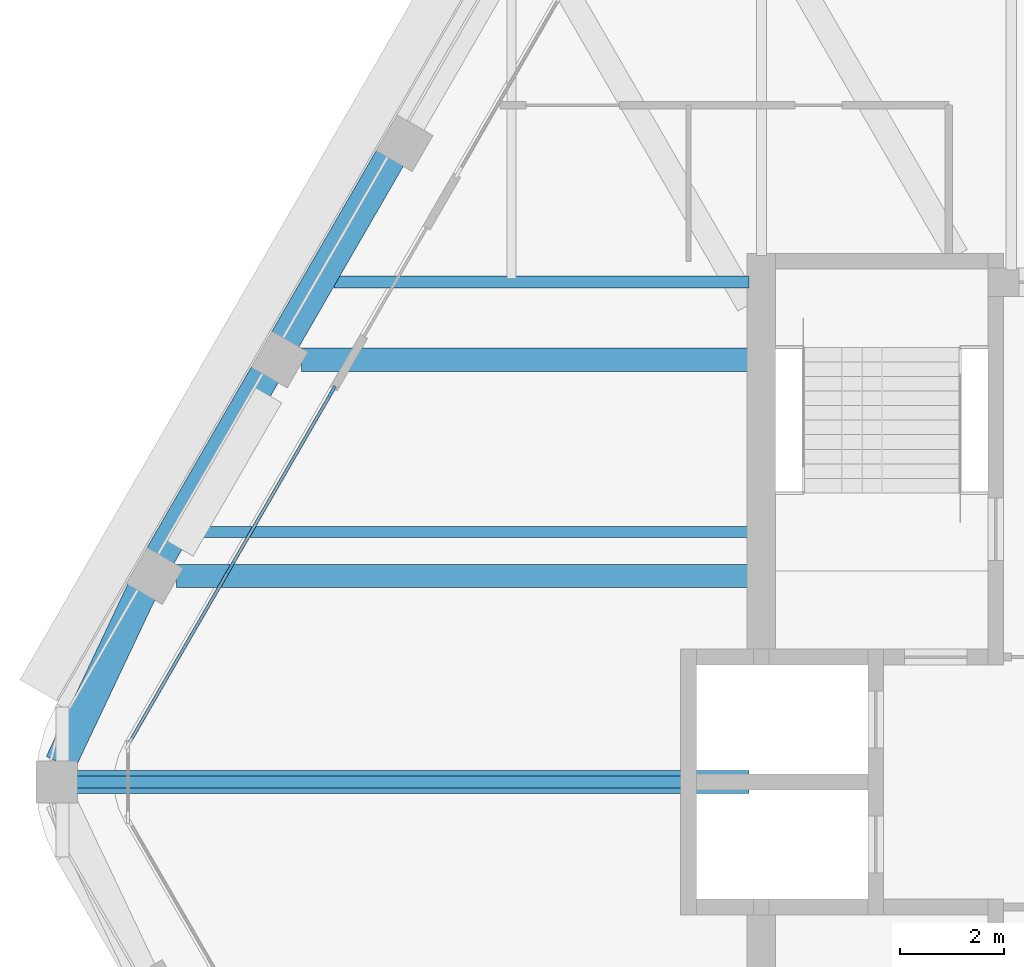
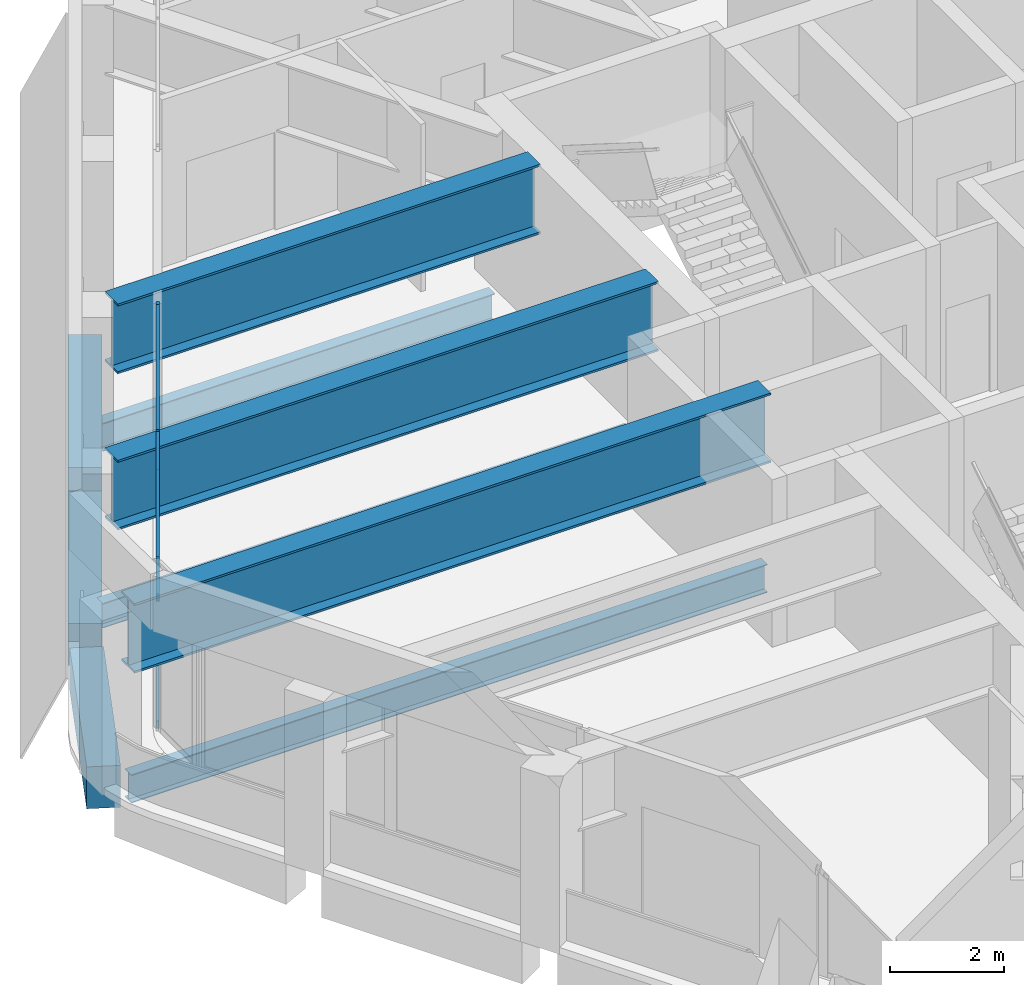
# One storey, part 3 of 14: 9 beams, 6 members, 1 element without a shape of its own.
"""IFC4 building model written with IfcOpenShell, lengths in metres."""

from ifc_helpers import new_model, si_unit, direction, frame, origin, origin_2d, place, context, subcontext, project, spatial, rectangle, i_section, extrude, material, material_profile, profile_set, type_object, element, aggregate, save


model = new_model("IFC4")

# Units and contexts
model_context = context("Model", 3, precision=1e-05, world=origin(), true_north=direction((0.0, 1.0)))
body_context = subcontext(model_context, "Body", "Model", "MODEL_VIEW")
ifc_project = project(units=[si_unit("LENGTHUNIT", "METRE"), si_unit("AREAUNIT", "SQUARE_METRE"), si_unit("VOLUMEUNIT", "CUBIC_METRE"), si_unit("PLANEANGLEUNIT", "RADIAN"), si_unit("MASSUNIT", "GRAM", prefix="KILO")], contexts=[model_context])

# Site, building, storey
site_placement = place(None, origin())
site = spatial("IfcSite", under=ifc_project, at=site_placement, CompositionType="ELEMENT")
building_placement = place(site_placement, origin())
building = spatial("IfcBuilding", under=site, at=building_placement, Name="Kolab Exchange Tower", CompositionType="ELEMENT")
storey_placement = place(building_placement, frame((0.0, 0.0, 293.0)))
storey = spatial("IfcBuildingStorey", under=building, at=storey_placement, Name="L66", CompositionType="ELEMENT", Elevation=293.0)

# Beams
ifc_material_1 = material(Name="Steel S355", Category="steel")
ifc_material_profile_1 = material_profile(ifc_material_1, i_section(OverallWidth=0.208984375, OverallDepth=0.532958984375, WebThickness=0.01025390625, FlangeThickness=0.015625, at=origin_2d()), Name="W530X92")
ifc_profile_set_1 = profile_set([ifc_material_profile_1], Name="Steel S355")
beam_type_1 = type_object("IfcBeamType", Name="FLOOR BEAM W530X92", PredefinedType="BEAM", material=ifc_profile_set_1)
beam_1_placement = place(storey_placement, frame((-20.575927734375, 4.800048828125, -0.41650390625), z_axis=(1.0, 0.0, 0.0), x_axis=(0.0, 1.0, 0.0)))
element("IfcBeam", 1, at=beam_1_placement, inside=storey, type_object=beam_type_1, Name="beam/L66/fr/002", PredefinedType="BEAM", context=body_context, shape_type="SweptSolid", body=[
    extrude(i_section(OverallWidth=0.208984375, OverallDepth=0.532958984375, WebThickness=0.01025390625, FlangeThickness=0.015625, at=origin_2d()), origin(), (0.0, 0.0, 1.0), 10.740966796875),
])
ifc_material_profile_2 = material_profile(ifc_material_1, i_section(OverallWidth=0.22802734375, OverallDepth=0.60791015625, WebThickness=0.01123046875, FlangeThickness=0.017333984375, at=origin_2d()), Name="W610X113")
ifc_profile_set_2 = profile_set([ifc_material_profile_2], Name="Steel S355")
beam_type_2 = type_object("IfcBeamType", Name="FLOOR BEAM W610X113", PredefinedType="BEAM", material=ifc_profile_set_2)
beam_2_placement = place(storey_placement, frame((-22.77587890625, 0.0, -0.4541015625), z_axis=(1.0, 0.0, 0.0), x_axis=(0.0, 1.0, 0.0)))
element("IfcBeam", 2, at=beam_2_placement, inside=storey, type_object=beam_type_2, Name="beam/L66/fr/000", PredefinedType="BEAM", context=body_context, shape_type="SweptSolid", body=[
    extrude(i_section(OverallWidth=0.22802734375, OverallDepth=0.60791015625, WebThickness=0.01123046875, FlangeThickness=0.017333984375, at=origin_2d()), origin(), (0.0, 0.0, 1.0), 12.94091796875),
])
ifc_material_profile_3 = material_profile(ifc_material_1, i_section(OverallWidth=0.22802734375, OverallDepth=0.60791015625, WebThickness=0.01123046875, FlangeThickness=0.017333984375, at=origin_2d()), Name="W610X113")
ifc_profile_set_3 = profile_set([ifc_material_profile_3], Name="Steel S355")
beam_type_3 = type_object("IfcBeamType", Name="FLOOR GIRDER W610X113", PredefinedType="BEAM", material=ifc_profile_set_3)
beam_3_placement = place(storey_placement, frame((-17.8046875, 9.60009765625, -0.4541015625), z_axis=(1.0, 0.0, 0.0), x_axis=(0.0, 1.0, 0.0)))
element("IfcBeam", 3, at=beam_3_placement, inside=storey, type_object=beam_type_3, Name="beam/L66/gd/001", PredefinedType="BEAM", context=body_context, shape_type="SweptSolid", body=[
    extrude(i_section(OverallWidth=0.22802734375, OverallDepth=0.60791015625, WebThickness=0.01123046875, FlangeThickness=0.017333984375, at=origin_2d()), origin(), (0.0, 0.0, 1.0), 7.9697265625),
])
ifc_material_2 = material(Name="Concrete C50/60", Category="concrete")
ifc_material_profile_4 = material_profile(ifc_material_2, rectangle(XDim=0.60009765625, YDim=0.89990234375, at=origin_2d()), Name="RC600X900")
ifc_profile_set_4 = profile_set([ifc_material_profile_4], Name="Concrete C50/60")
beam_type_4 = type_object("IfcBeamType", Name="SPANDREL BEAM 600X900 C50/60", PredefinedType="BEAM", material=ifc_profile_set_4)
beam_4_placement = place(storey_placement, frame((-23.063720703125, 0.36376953125, -0.60009765625), z_axis=(0.427677251998, 0.903931506323, 0.0), x_axis=(-0.903931506323, 0.427677251998, 0.0)))
element("IfcBeam", 4, at=beam_4_placement, inside=storey, type_object=beam_type_4, Name="beam/L66/sp/F6-01", PredefinedType="BEAM", context=body_context, shape_type="SweptSolid", body=[
    extrude(rectangle(XDim=0.60009765625, YDim=0.89990234375, at=origin_2d()), origin(), (0.0, 0.0, 1.0), 3.6689453125),
])
for number, where, z_axis, x_axis, name in (
    (5, (-21.16015625, 4.318603515625, -0.60009765625), (0.500000428765, 0.866025156237, 0.0), (-0.866025156237, 0.500000428765, 0.0), "beam/L66/sp/F6-02"),
    (6, (-18.76025390625, 8.4755859375, -0.60009765625), (0.500000428765, 0.866025156237, 0.0), (-0.866025156237, 0.500000428765, 0.0), "beam/L66/sp/F6-03"),
):
    element("IfcBeam", number, at=place(storey_placement, frame(where, z_axis=z_axis, x_axis=x_axis)), inside=storey, type_object=beam_type_4, Name=name, PredefinedType="BEAM", context=body_context, shape_type="SweptSolid", body=[
        extrude(rectangle(XDim=0.60009765625, YDim=0.89990234375, at=origin_2d()), origin(), (0.0, 0.0, 1.0), 4.080078125),
    ])
ifc_material_profile_5 = material_profile(ifc_material_1, i_section(OverallWidth=0.449951171875, OverallDepth=1.5, WebThickness=0.028076171875, FlangeThickness=0.044921875, at=origin_2d()), Name="PG1500X450")
ifc_profile_set_5 = profile_set([ifc_material_profile_5], Name="Steel S355")
beam_type_5 = type_object("IfcBeamType", Name="TRANSFER GIRDER PG1500X450", PredefinedType="BEAM", material=ifc_profile_set_5)
beam_5_placement = place(storey_placement, frame((-9.8349609375, 0.0, 2.85009765625), z_axis=(-1.0, 0.0, 0.0), x_axis=(0.0, -1.0, 0.0)))
element("IfcBeam", 7, at=beam_5_placement, inside=storey, type_object=beam_type_5, Name="beam/L66/cg/F6-01", PredefinedType="BEAM", context=body_context, shape_type="SweptSolid", body=[
    extrude(i_section(OverallWidth=0.449951171875, OverallDepth=1.5, WebThickness=0.028076171875, FlangeThickness=0.044921875, at=origin_2d()), origin(), (0.0, 0.0, 1.0), 12.94091796875),
])
beam_6_placement = place(storey_placement, frame((-9.8349609375, 3.956787109375, 2.85009765625), z_axis=(-1.0, 0.0, 0.0), x_axis=(0.0, -1.0, 0.0)))
element("IfcBeam", 8, at=beam_6_placement, inside=storey, type_object=beam_type_5, Name="beam/L66/cg/F6-02", PredefinedType="BEAM", context=body_context, shape_type="SweptSolid", body=[
    extrude(i_section(OverallWidth=0.449951171875, OverallDepth=1.5, WebThickness=0.028076171875, FlangeThickness=0.044921875, at=origin_2d()), origin(), (0.0, 0.0, 1.0), 10.996826171875),
])
beam_7_placement = place(storey_placement, frame((-9.8349609375, 8.11376953125, 2.85009765625), z_axis=(-1.0, 0.0, 0.0), x_axis=(0.0, -1.0, 0.0)))
element("IfcBeam", 9, at=beam_7_placement, inside=storey, type_object=beam_type_5, Name="beam/L66/cg/F6-03", PredefinedType="BEAM", context=body_context, shape_type="SweptSolid", body=[
    extrude(i_section(OverallWidth=0.449951171875, OverallDepth=1.5, WebThickness=0.028076171875, FlangeThickness=0.044921875, at=origin_2d()), origin(), (0.0, 0.0, 1.0), 8.5966796875),
])

# Curtain wall, members
ifc_material_3 = material(Name="Aluminium EN AW-6063 T6", Category="aluminium")
curtain_wall_type = type_object("IfcCurtainWallType", Name="UNITISED HIGH ZONE CURTAIN WALL", PredefinedType="NOTDEFINED", material=ifc_material_3)
curtain_wall_placement = place(storey_placement, origin())
curtain_wall = element("IfcCurtainWall", 10, at=curtain_wall_placement, inside=storey, type_object=curtain_wall_type, Name="cw/L66/F6-1", PredefinedType="NOTDEFINED")
ifc_material_profile_6 = material_profile(ifc_material_3, rectangle(XDim=0.06005859375, YDim=0.239990234375, at=origin_2d()), Name="RECT 60X240")
ifc_profile_set_6 = profile_set([ifc_material_profile_6], Name="Aluminium EN AW-6063 T6")
member_type_1 = type_object("IfcMemberType", Name="UNITISED HIGH ZONE MULLION 60 X 240", PredefinedType="MULLION", material=ifc_profile_set_6)
member_1_placement = place(storey_placement, frame((-19.798583984375, 4.116943359375, 0.0), z_axis=(0.0, 0.0, 1.0), x_axis=(-0.866025440524, 0.499999936366, 0.0)))
member_1 = element("IfcMember", 11, at=member_1_placement, type_object=member_type_1, Name="CW4 mullion 2", PredefinedType="MULLION", context=body_context, shape_type="SweptSolid", body=[
    extrude(rectangle(XDim=0.06005859375, YDim=0.239990234375, at=origin_2d()), origin(), (0.0, 0.0, 1.0), 3.60009765625),
])
member_2_placement = place(storey_placement, frame((-17.8466796875, 7.497802734375, 0.0), z_axis=(0.0, 0.0, 1.0), x_axis=(-0.866025440524, 0.499999936366, 0.0)))
member_2 = element("IfcMember", 12, at=member_2_placement, type_object=member_type_1, Name="CW4 mullion 3", PredefinedType="MULLION", context=body_context, shape_type="SweptSolid", body=[
    extrude(rectangle(XDim=0.06005859375, YDim=0.239990234375, at=origin_2d()), origin(), (0.0, 0.0, 1.0), 3.60009765625),
])
ifc_material_profile_7 = material_profile(ifc_material_3, rectangle(XDim=0.06005859375, YDim=0.159912109375, at=origin_2d()), Name="RECT 60X160")
ifc_profile_set_7 = profile_set([ifc_material_profile_7], Name="Aluminium EN AW-6063 T6")
member_type_2 = type_object("IfcMemberType", Name="UNITISED HIGH ZONE TRANSOM 60 X 160", PredefinedType="USERDEFINED", material=ifc_profile_set_7)
member_3_placement = place(storey_placement, frame((-21.735595703125, 0.761962890625, 0.030029296875), z_axis=(0.499991857942, 0.866030104553, 0.0), x_axis=(-0.866030104553, 0.499991857942, 0.0)))
member_3 = element("IfcMember", 13, at=member_3_placement, type_object=member_type_2, Name="CW4 transom 1.1", ObjectType="TRANSOM", PredefinedType="USERDEFINED", context=body_context, shape_type="SweptSolid", body=[
    extrude(rectangle(XDim=0.06005859375, YDim=0.159912109375, at=origin_2d()), origin(), (0.0, 0.0, 1.0), 3.84375),
])
member_4_placement = place(storey_placement, frame((-21.735595703125, 0.761962890625, 3.570068359375), z_axis=(0.499991857942, 0.866030104553, 0.0), x_axis=(-0.866030104553, 0.499991857942, 0.0)))
member_4 = element("IfcMember", 14, at=member_4_placement, type_object=member_type_2, Name="CW4 transom 1.2", ObjectType="TRANSOM", PredefinedType="USERDEFINED", context=body_context, shape_type="SweptSolid", body=[
    extrude(rectangle(XDim=0.06005859375, YDim=0.159912109375, at=origin_2d()), origin(), (0.0, 0.0, 1.0), 3.84375),
])
member_5_placement = place(storey_placement, frame((-19.78369140625, 4.142822265625, 0.030029296875), z_axis=(0.500011990396, 0.866018481016, 0.0), x_axis=(-0.866018481016, 0.500011990396, 0.0)))
member_5 = element("IfcMember", 15, at=member_5_placement, type_object=member_type_2, Name="CW4 transom 2.1", ObjectType="TRANSOM", PredefinedType="USERDEFINED", context=body_context, shape_type="SweptSolid", body=[
    extrude(rectangle(XDim=0.06005859375, YDim=0.159912109375, at=origin_2d()), origin(), (0.0, 0.0, 1.0), 3.84423828125),
])
member_6_placement = place(storey_placement, frame((-19.78369140625, 4.142822265625, 3.570068359375), z_axis=(0.500011990396, 0.866018481016, 0.0), x_axis=(-0.866018481016, 0.500011990396, 0.0)))
member_6 = element("IfcMember", 16, at=member_6_placement, type_object=member_type_2, Name="CW4 transom 2.2", ObjectType="TRANSOM", PredefinedType="USERDEFINED", context=body_context, shape_type="SweptSolid", body=[
    extrude(rectangle(XDim=0.06005859375, YDim=0.159912109375, at=origin_2d()), origin(), (0.0, 0.0, 1.0), 3.84423828125),
])
aggregate(curtain_wall, [member_1, member_2, member_3, member_4, member_5, member_6])

save(model, "model.ifc")
